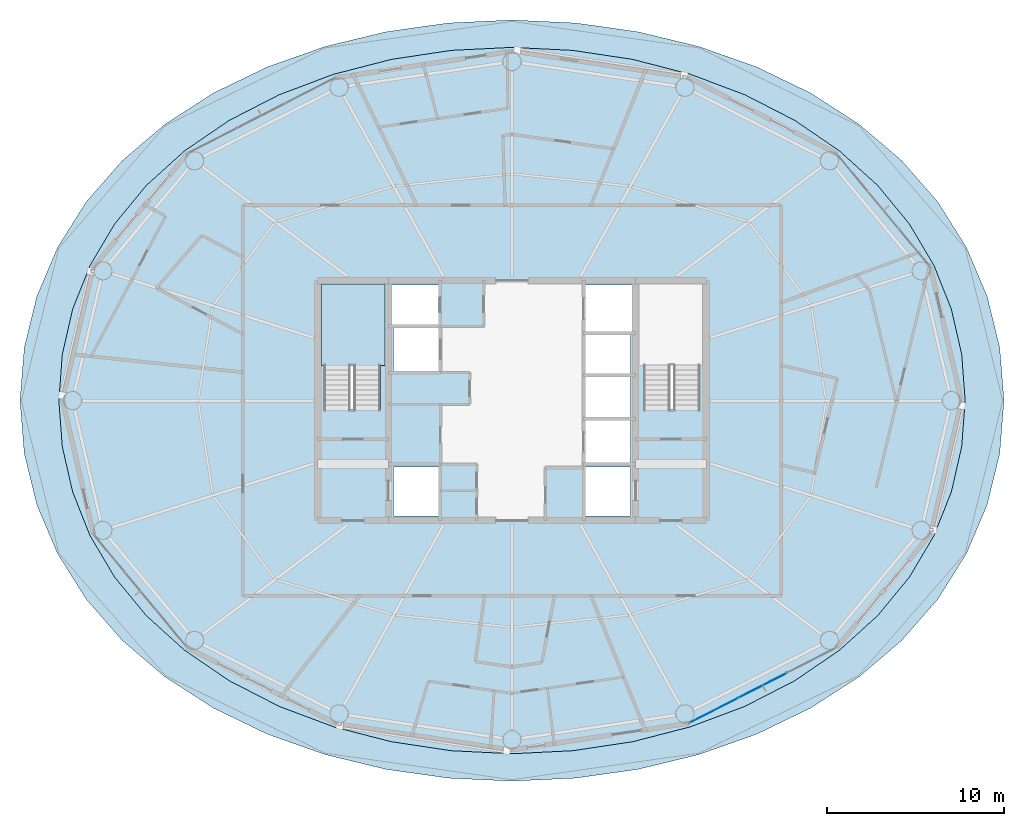
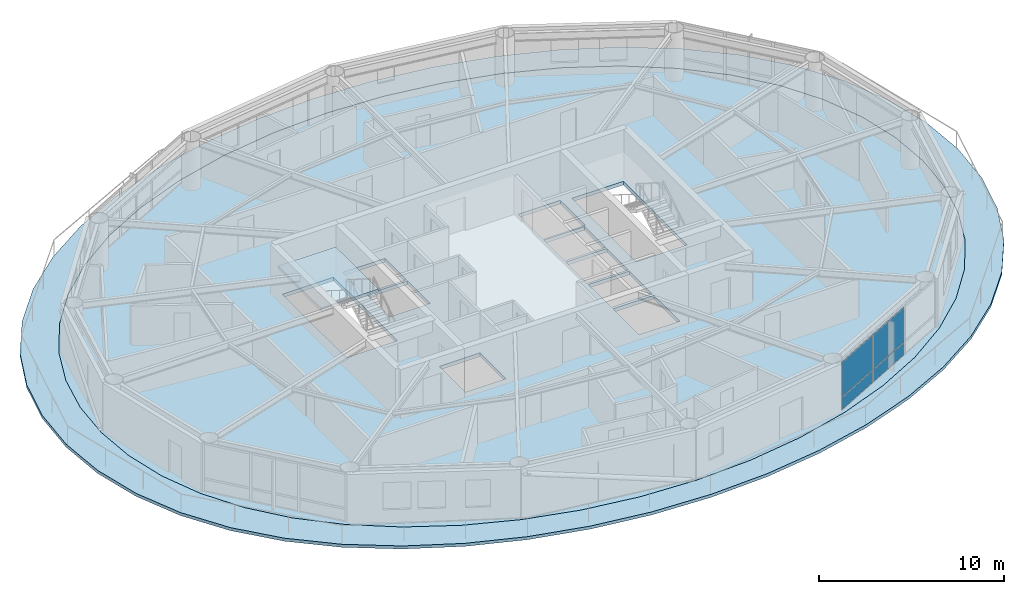
# One storey, part 16 of 24: 4 plates, 3 slabs, 2 elements without a shape of their own.
"""IFC4 building model written with IfcOpenShell, lengths in metres."""

from ifc_helpers import new_model, si_unit, direction, frame, origin, origin_2d, place, context, subcontext, project, spatial, polyline, rectangle, outline, extrude, material, layer, layer_set, type_object, element, aggregate, save


model = new_model("IFC4")

# Units and contexts
model_context = context("Model", 3, precision=1e-05, world=origin(), true_north=direction((0.0, 1.0)))
body_context = subcontext(model_context, "Body", "Model", "MODEL_VIEW")
ifc_project = project(units=[si_unit("LENGTHUNIT", "METRE"), si_unit("AREAUNIT", "SQUARE_METRE"), si_unit("VOLUMEUNIT", "CUBIC_METRE"), si_unit("PLANEANGLEUNIT", "RADIAN"), si_unit("MASSUNIT", "GRAM", prefix="KILO")], contexts=[model_context])

# Site, building, storey
site_placement = place(None, origin())
site = spatial("IfcSite", under=ifc_project, at=site_placement, CompositionType="ELEMENT")
building_placement = place(site_placement, origin())
building = spatial("IfcBuilding", under=site, at=building_placement, Name="Sarneth Arch Tower", CompositionType="ELEMENT")
storey_placement = place(building_placement, frame((0.0, 0.0, 253.199951171875)))
storey = spatial("IfcBuildingStorey", under=building, at=storey_placement, Name="L65", CompositionType="ELEMENT", Elevation=253.199951171875)

# Curtain wall, plates
ifc_material_1 = material(Name="Anodised aluminium Type AA25 and solar-control low-e laminated IGU", Category="aluminium")
ifc_layer_1 = layer(ifc_material_1, 0.179931640625)
ifc_layer_set_1 = layer_set([ifc_layer_1], Name="Anodised aluminium Type AA25 and solar-control low-e laminated IGU")
curtain_wall_type = type_object("IfcCurtainWallType", Name="CW-RES-HIGH", PredefinedType="NOTDEFINED", material=ifc_layer_set_1)
curtain_wall_placement = place(storey_placement, origin())
curtain_wall = element("IfcCurtainWall", 1, at=curtain_wall_placement, inside=storey, type_object=curtain_wall_type, Name="L65 Unitised curtain wall facet 14", PredefinedType="NOTDEFINED")
ifc_material_2 = material(Name="Solar-control low-e laminated IGU", Category="glass")
ifc_layer_2 = layer(ifc_material_2, 0.028076171875)
ifc_layer_set_2 = layer_set([ifc_layer_2], Name="Solar-control low-e laminated IGU")
plate_type = type_object("IfcPlateType", Name="CW-PANEL", PredefinedType="CURTAIN_PANEL", material=ifc_layer_set_2)
plate_1_placement = place(storey_placement, frame((59.4208984375, 24.447021484375, 0.06005859375), z_axis=(0.0, 0.0, 1.0), x_axis=(0.890009540525, 0.455941901753, 0.0)))
plate_1 = element("IfcPlate", 2, at=plate_1_placement, type_object=plate_type, Name="Curtain wall glazed vision pane CW-L65-F14/P00-00", PredefinedType="CURTAIN_PANEL", context=body_context, shape_type="SweptSolid", body=[
    extrude(rectangle(XDim=3.044677734375, YDim=0.028076171875, at=origin_2d()), origin(), (0.0, 0.0, 1.0), 0.81005859375),
])
plate_2_placement = place(storey_placement, frame((59.4208984375, 24.447021484375, 0.93017578125), z_axis=(0.0, 0.0, 1.0), x_axis=(0.890009540525, 0.455941901753, 0.0)))
plate_2 = element("IfcPlate", 3, at=plate_2_placement, type_object=plate_type, Name="Curtain wall glazed vision pane CW-L65-F14/P00-01", PredefinedType="CURTAIN_PANEL", context=body_context, shape_type="SweptSolid", body=[
    extrude(rectangle(XDim=3.044677734375, YDim=0.028076171875, at=origin_2d()), origin(), (0.0, 0.0, 1.0), 2.260009765625),
])
plate_3_placement = place(storey_placement, frame((62.197509765625, 25.86962890625, 0.06005859375), z_axis=(0.0, 0.0, 1.0), x_axis=(0.890009540525, 0.455941901753, 0.0)))
plate_3 = element("IfcPlate", 4, at=plate_3_placement, type_object=plate_type, Name="Curtain wall glazed vision pane CW-L65-F14/P01-00", PredefinedType="CURTAIN_PANEL", context=body_context, shape_type="SweptSolid", body=[
    extrude(rectangle(XDim=3.07470703125, YDim=0.028076171875, at=origin_2d()), origin(), (0.0, 0.0, 1.0), 0.81005859375),
])
plate_4_placement = place(storey_placement, frame((62.197509765625, 25.86962890625, 0.93017578125), z_axis=(0.0, 0.0, 1.0), x_axis=(0.890009540525, 0.455941901753, 0.0)))
plate_4 = element("IfcPlate", 5, at=plate_4_placement, type_object=plate_type, Name="Curtain wall glazed vision pane CW-L65-F14/P01-01", PredefinedType="CURTAIN_PANEL", context=body_context, shape_type="SweptSolid", body=[
    extrude(rectangle(XDim=3.07470703125, YDim=0.028076171875, at=origin_2d()), origin(), (0.0, 0.0, 1.0), 2.260009765625),
])
aggregate(curtain_wall, [plate_1, plate_2, plate_3, plate_4])

# Slab
ifc_material_3 = material(Name="Concrete C50/60", Category="concrete")
ifc_layer_3 = layer(ifc_material_3, 0.199951171875)
ifc_layer_set_3 = layer_set([ifc_layer_3], Name="Concrete C50/60")
slab_type_1 = type_object("IfcSlabType", Name="SLAB-BALC-200", PredefinedType="FLOOR", material=ifc_layer_set_3)
slab_1_placement = place(storey_placement, frame((0.0, 0.0, -0.199951171875)))
element("IfcSlab", 6, at=slab_1_placement, inside=storey, type_object=slab_type_1, Name="L65 Helical balcony band slab", PredefinedType="FLOOR", context=body_context, shape_type="SweptSolid", body=[
    extrude(outline(polyline([(75.86083984375, 42.0), (75.620849609375, 44.995361328125), (74.90625, 47.911376953125), (73.730712890625, 50.679443359375), (72.114013671875, 53.247314453125), (70.080810546875, 55.576904296875), (67.6640625, 57.640380859375), (64.906982421875, 59.416748046875), (61.862060546875, 60.889892578125), (58.589111328125, 62.04736328125), (55.14892578125, 62.880126953125), (51.600830078125, 63.38232421875), (48.0, 63.550048828125), (44.399169921875, 63.38232421875), (40.85107421875, 62.880126953125), (37.410888671875, 62.04736328125), (34.137939453125, 60.889892578125), (31.093017578125, 59.416748046875), (28.3359375, 57.640380859375), (25.919189453125, 55.576904296875), (23.885986328125, 53.247314453125), (22.269287109375, 50.679443359375), (21.09375, 47.911376953125), (20.379150390625, 44.995361328125), (20.13916015625, 42.0), (20.379150390625, 39.004638671875), (21.09375, 36.088623046875), (22.269287109375, 33.320556640625), (23.885986328125, 30.752685546875), (25.919189453125, 28.423095703125), (28.3359375, 26.359619140625), (31.093017578125, 24.583251953125), (34.137939453125, 23.110107421875), (37.410888671875, 21.95263671875), (40.85107421875, 21.119873046875), (44.399169921875, 20.61767578125), (48.0, 20.449951171875), (51.600830078125, 20.61767578125), (55.14892578125, 21.119873046875), (58.589111328125, 21.95263671875), (61.862060546875, 23.110107421875), (64.906982421875, 24.583251953125), (67.6640625, 26.359619140625), (70.080810546875, 28.423095703125), (72.114013671875, 30.752685546875), (73.730712890625, 33.320556640625), (74.90625, 36.088623046875), (75.620849609375, 39.004638671875), (75.86083984375, 42.0)]), holes=[polyline([(73.660888671875, 42.0), (73.466064453125, 44.610595703125), (72.87890625, 47.17626953125), (71.892822265625, 49.653564453125), (70.5029296875, 52.0), (68.712158203125, 54.17529296875), (66.536865234375, 56.14208984375), (64.009521484375, 57.8671875), (61.177001953125, 59.320556640625), (58.0966796875, 60.4775390625), (54.83203125, 61.318603515625), (51.44580078125, 61.828857421875), (48.0, 62.0), (44.55419921875, 61.828857421875), (41.16796875, 61.318603515625), (37.9033203125, 60.4775390625), (34.822998046875, 59.320556640625), (31.990478515625, 57.8671875), (29.463134765625, 56.14208984375), (27.287841796875, 54.17529296875), (25.4970703125, 52.0), (24.107177734375, 49.653564453125), (23.12109375, 47.17626953125), (22.533935546875, 44.610595703125), (22.339111328125, 42.0), (22.533935546875, 39.389404296875), (23.12109375, 36.82373046875), (24.107177734375, 34.346435546875), (25.4970703125, 32.0), (27.287841796875, 29.82470703125), (29.463134765625, 27.85791015625), (31.990478515625, 26.1328125), (34.822998046875, 24.679443359375), (37.9033203125, 23.5224609375), (41.16796875, 22.681396484375), (44.55419921875, 22.171142578125), (48.0, 22.0), (51.44580078125, 22.171142578125), (54.83203125, 22.681396484375), (58.0966796875, 23.5224609375), (61.177001953125, 24.679443359375), (64.009521484375, 26.1328125), (66.536865234375, 27.85791015625), (68.712158203125, 29.82470703125), (70.5029296875, 32.0), (71.892822265625, 34.346435546875), (72.87890625, 36.82373046875), (73.466064453125, 39.389404296875), (73.660888671875, 42.0)])]), origin(), (0.0, 0.0, 1.0), 0.199951171875),
])

# Stair, slab
ifc_material_4 = material(Name="Concrete C50/60", Category="concrete")
stair_type = type_object("IfcStairType", Name="STAIR-CORE-RC", PredefinedType="HALF_TURN_STAIR", material=ifc_material_4)
stair_placement = place(storey_placement, origin())
stair = element("IfcStair", 7, at=stair_placement, inside=storey, type_object=stair_type, Name="L65 Core Exit Stair 1", PredefinedType="HALF_TURN_STAIR")
ifc_material_5 = material(Name="Concrete C50/60", Category="concrete")
ifc_layer_4 = layer(ifc_material_5, 0.199951171875)
ifc_layer_set_4 = layer_set([ifc_layer_4], Name="Concrete C50/60")
slab_type_2 = type_object("IfcSlabType", Name="SLAB-LANDING-200", PredefinedType="LANDING", material=ifc_layer_set_4)
slab_2_placement = place(storey_placement, frame((0.0, 0.0, 1.60009765625)))
slab_2 = element("IfcSlab", 8, at=slab_2_placement, type_object=slab_type_2, Name="ST-1 landing 1", PredefinedType="LANDING", context=body_context, shape_type="SweptSolid", body=[
    extrude(outline(polyline([(37.199951171875, 43.985107421875), (40.800048828125, 43.985107421875), (40.800048828125, 48.60009765625), (37.199951171875, 48.60009765625), (37.199951171875, 43.985107421875)])), origin(), (0.0, 0.0, 1.0), 0.199951171875),
])
aggregate(stair, [slab_2])

# Slab
ifc_material_6 = material(Name="Concrete C50/60", Category="concrete")
ifc_layer_5 = layer(ifc_material_6, 0.239990234375)
ifc_layer_set_5 = layer_set([ifc_layer_5], Name="Concrete C50/60")
slab_type_3 = type_object("IfcSlabType", Name="SLAB-TOWER-240", PredefinedType="FLOOR", material=ifc_layer_set_5)
slab_3_placement = place(storey_placement, frame((0.0, 0.0, -0.239990234375)))
element("IfcSlab", 9, at=slab_3_placement, inside=storey, type_object=slab_type_3, Name="L65 Elliptical floor slab", PredefinedType="FLOOR", context=body_context, shape_type="SweptSolid", body=[
    extrude(outline(polyline([(73.660888671875, 42.0), (73.466064453125, 44.610595703125), (72.87890625, 47.17626953125), (71.892822265625, 49.653564453125), (70.5029296875, 52.0), (68.712158203125, 54.17529296875), (66.536865234375, 56.14208984375), (64.009521484375, 57.8671875), (61.177001953125, 59.320556640625), (58.0966796875, 60.4775390625), (54.83203125, 61.318603515625), (51.44580078125, 61.828857421875), (48.0, 62.0), (44.55419921875, 61.828857421875), (41.16796875, 61.318603515625), (37.9033203125, 60.4775390625), (34.822998046875, 59.320556640625), (31.990478515625, 57.8671875), (29.463134765625, 56.14208984375), (27.287841796875, 54.17529296875), (25.4970703125, 52.0), (24.107177734375, 49.653564453125), (23.12109375, 47.17626953125), (22.533935546875, 44.610595703125), (22.339111328125, 42.0), (22.533935546875, 39.389404296875), (23.12109375, 36.82373046875), (24.107177734375, 34.346435546875), (25.4970703125, 32.0), (27.287841796875, 29.82470703125), (29.463134765625, 27.85791015625), (31.990478515625, 26.1328125), (34.822998046875, 24.679443359375), (37.9033203125, 23.5224609375), (41.16796875, 22.681396484375), (44.55419921875, 22.171142578125), (48.0, 22.0), (51.44580078125, 22.171142578125), (54.83203125, 22.681396484375), (58.0966796875, 23.5224609375), (61.177001953125, 24.679443359375), (64.009521484375, 26.1328125), (66.536865234375, 27.85791015625), (68.712158203125, 29.82470703125), (70.5029296875, 32.0), (71.892822265625, 34.346435546875), (72.87890625, 36.82373046875), (73.466064453125, 39.389404296875), (73.660888671875, 42.0)]), holes=[polyline([(37.35009765625, 41.489990234375), (40.550048828125, 41.489990234375), (40.550048828125, 48.39990234375), (37.35009765625, 48.39990234375), (37.35009765625, 41.489990234375)]), polyline([(55.449951171875, 41.489990234375), (58.64990234375, 41.489990234375), (58.64990234375, 48.39990234375), (55.449951171875, 48.39990234375), (55.449951171875, 41.489990234375)]), polyline([(41.199951171875, 46.25), (43.85009765625, 46.25), (43.85009765625, 48.550048828125), (41.199951171875, 48.550048828125), (41.199951171875, 46.25)]), polyline([(41.300048828125, 35.449951171875), (43.85009765625, 35.449951171875), (43.85009765625, 38.25), (41.300048828125, 38.25), (41.300048828125, 35.449951171875)]), polyline([(52.14990234375, 35.449951171875), (54.699951171875, 35.449951171875), (54.699951171875, 38.25), (52.14990234375, 38.25), (52.14990234375, 35.449951171875)]), polyline([(52.14990234375, 45.85009765625), (54.800048828125, 45.85009765625), (54.800048828125, 48.550048828125), (52.14990234375, 48.550048828125), (52.14990234375, 45.85009765625)]), polyline([(41.300048828125, 43.64990234375), (43.85009765625, 43.64990234375), (43.85009765625, 46.10009765625), (41.300048828125, 46.10009765625), (41.300048828125, 43.64990234375)]), polyline([(52.14990234375, 38.449951171875), (54.699951171875, 38.449951171875), (54.699951171875, 40.89990234375), (52.14990234375, 40.89990234375), (52.14990234375, 38.449951171875)]), polyline([(52.14990234375, 41.050048828125), (54.699951171875, 41.050048828125), (54.699951171875, 43.35009765625), (52.14990234375, 43.35009765625), (52.14990234375, 41.050048828125)]), polyline([(52.14990234375, 43.5), (54.699951171875, 43.5), (54.699951171875, 45.75), (52.14990234375, 45.75), (52.14990234375, 43.5)])]), origin(), (0.0, 0.0, 1.0), 0.239990234375),
])

save(model, "model.ifc")
